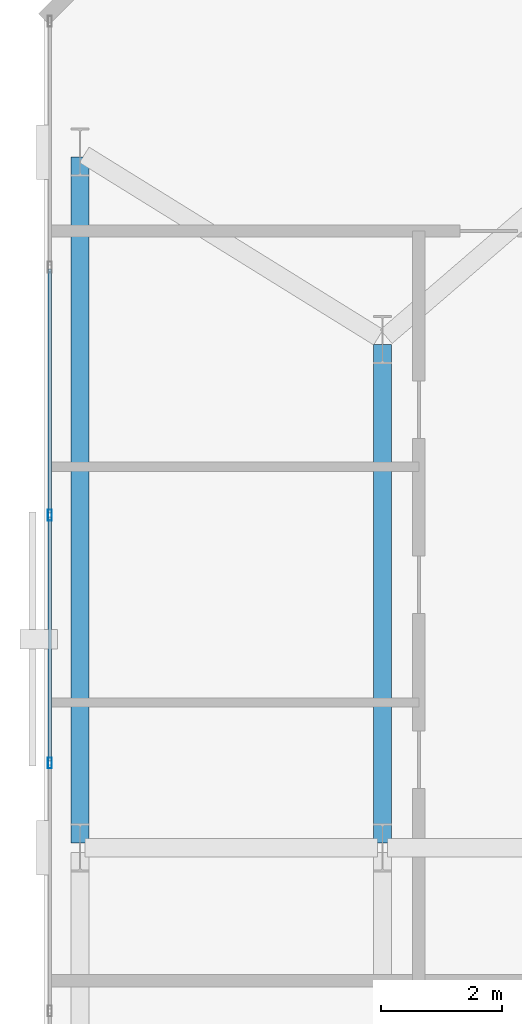
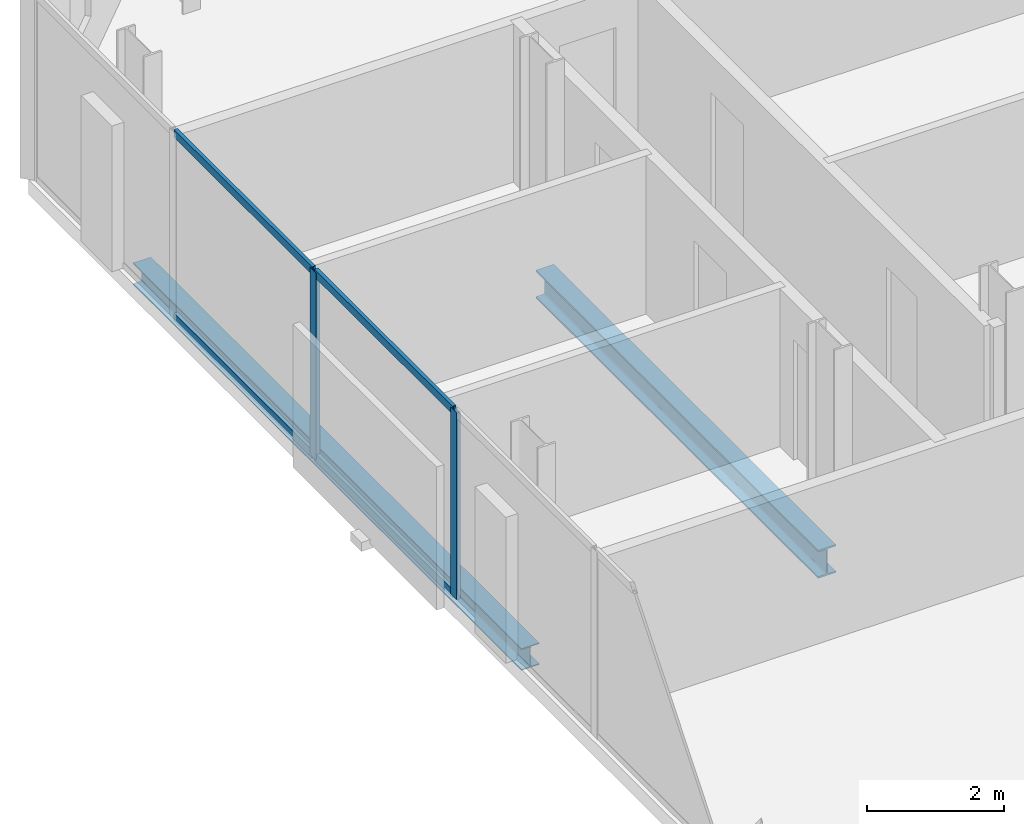
# One storey, part 18 of 33: 6 members, 2 beams, 1 element without a shape of its own.
"""IFC4 building model written with IfcOpenShell, lengths in metres."""

from ifc_helpers import new_model, si_unit, direction, frame, origin, origin_2d, place, context, subcontext, project, spatial, hollow_rectangle, i_section, extrude, material, layer, layer_set, material_profile, profile_set, type_object, element, aggregate, save


model = new_model("IFC4")

# Units and contexts
model_context = context("Model", 3, precision=1e-05, world=origin(), true_north=direction((0.0, 1.0)))
body_context = subcontext(model_context, "Body", "Model", "MODEL_VIEW")
ifc_project = project(units=[si_unit("LENGTHUNIT", "METRE"), si_unit("AREAUNIT", "SQUARE_METRE"), si_unit("VOLUMEUNIT", "CUBIC_METRE"), si_unit("PLANEANGLEUNIT", "RADIAN"), si_unit("MASSUNIT", "GRAM", prefix="KILO")], contexts=[model_context])

# Site, building, storey
site_placement = place(None, origin())
site = spatial("IfcSite", under=ifc_project, at=site_placement, CompositionType="ELEMENT")
building_placement = place(site_placement, origin())
building = spatial("IfcBuilding", under=site, at=building_placement, Name="Catumbela Crestline Tower", CompositionType="ELEMENT")
storey_placement = place(building_placement, frame((0.0, 0.0, 43.8)))
storey = spatial("IfcBuildingStorey", under=building, at=storey_placement, Name="L10", CompositionType="ELEMENT", Elevation=43.8)

# Beam
ifc_material_1 = material(Name="Structural steel S355J2", Category="steel")
ifc_material_profile_1 = material_profile(ifc_material_1, i_section(OverallWidth=0.3, OverallDepth=0.5, WebThickness=0.0145, FlangeThickness=0.028, FilletRadius=0.027, at=origin_2d()), Name="HEB 500")
ifc_profile_set_1 = profile_set([ifc_material_profile_1], Name="Structural steel S355J2")
beam_type_1 = type_object("IfcBeamType", Name="BG-HEB500", PredefinedType="BEAM", material=ifc_profile_set_1)
beam_1_placement = place(storey_placement, frame((5.6, 30.88, -0.51), z_axis=(0.0, 1.0, 0.0), x_axis=(-1.0, 0.0, 0.0)))
element("IfcBeam", 1, at=beam_1_placement, inside=storey, type_object=beam_type_1, Name="L10 Beam BM-L10-SN28", PredefinedType="BEAM", context=body_context, shape_type="SweptSolid", body=[
    extrude(i_section(OverallWidth=0.3, OverallDepth=0.5, WebThickness=0.0145, FlangeThickness=0.028, FilletRadius=0.027, at=origin_2d()), origin(), (0.0, 0.0, 1.0), 8.24),
])

# Curtain wall, members
ifc_material_2 = material(Name="Aluminium alloy AW-6060-T66", Category="aluminium")
ifc_layer = layer(ifc_material_2, 0.18, Name="Aluminium alloy AW-6060-T66")
ifc_layer_set = layer_set([ifc_layer], Name="Aluminium alloy AW-6060-T66")
curtain_wall_type = type_object("IfcCurtainWallType", Name="CWU-Z1", PredefinedType="USERDEFINED", material=ifc_layer_set)
curtain_wall_placement = place(storey_placement, origin())
curtain_wall = element("IfcCurtainWall", 2, at=curtain_wall_placement, inside=storey, type_object=curtain_wall_type, Name="L10 Unitised Curtain Wall CW-L10-E9S1", ObjectType="UNITISED", PredefinedType="USERDEFINED")
ifc_material_profile_2 = material_profile(ifc_material_2, hollow_rectangle(XDim=0.065, YDim=0.18, WallThickness=0.004, at=origin_2d()), Name="ALU 180x65x4")
ifc_profile_set_2 = profile_set([ifc_material_profile_2], Name="Aluminium alloy AW-6060-T66")
member_type_1 = type_object("IfcMemberType", Name="MUL-180X65", PredefinedType="MULLION", material=ifc_profile_set_2)
member_1_placement = place(storey_placement, frame((0.1, 36.3, 0.0), z_axis=(0.0, 0.0, 1.0), x_axis=(1.0, 0.0, 0.0)))
member_1 = element("IfcMember", 3, at=member_1_placement, type_object=member_type_1, Name="CWU-Z1 mullion 3", PredefinedType="MULLION", context=body_context, shape_type="SweptSolid", body=[
    extrude(hollow_rectangle(XDim=0.065, YDim=0.18, WallThickness=0.004, at=origin_2d()), origin(), (0.0, 0.0, 1.0), 3.33),
])
member_2_placement = place(storey_placement, frame((0.1, 32.2, 0.0), z_axis=(0.0, 0.0, 1.0), x_axis=(1.0, 0.0, 0.0)))
member_2 = element("IfcMember", 4, at=member_2_placement, type_object=member_type_1, Name="CWU-Z1 mullion 4", PredefinedType="MULLION", context=body_context, shape_type="SweptSolid", body=[
    extrude(hollow_rectangle(XDim=0.065, YDim=0.18, WallThickness=0.004, at=origin_2d()), origin(), (0.0, 0.0, 1.0), 3.33),
])

# Beam
ifc_material_profile_3 = material_profile(ifc_material_1, i_section(OverallWidth=0.3, OverallDepth=0.39, WebThickness=0.011, FlangeThickness=0.019, FilletRadius=0.027, at=origin_2d()), Name="HEA 400")
ifc_profile_set_3 = profile_set([ifc_material_profile_3], Name="Structural steel S355J2")
beam_type_2 = type_object("IfcBeamType", Name="BS-HEA400", PredefinedType="SPANDREL", material=ifc_profile_set_3)
beam_2_placement = place(storey_placement, frame((0.6, 30.88, -0.455), z_axis=(0.0, 1.0, 0.0), x_axis=(-1.0, 0.0, 0.0)))
element("IfcBeam", 5, at=beam_2_placement, inside=storey, type_object=beam_type_2, Name="L10 Spandrel SP-L10-SN26", PredefinedType="SPANDREL", context=body_context, shape_type="SweptSolid", body=[
    extrude(i_section(OverallWidth=0.3, OverallDepth=0.39, WebThickness=0.011, FlangeThickness=0.019, FilletRadius=0.027, at=origin_2d()), origin(), (0.0, 0.0, 1.0), 11.34),
])

# Member
ifc_material_profile_4 = material_profile(ifc_material_2, hollow_rectangle(XDim=0.06, YDim=0.14, WallThickness=0.004, at=origin_2d()), Name="ALU 140x60x4")
ifc_profile_set_4 = profile_set([ifc_material_profile_4], Name="Aluminium alloy AW-6060-T66")
member_type_2 = type_object("IfcMemberType", Name="TRN-140X60", PredefinedType="USERDEFINED", material=ifc_profile_set_4)
member_3_placement = place(storey_placement, frame((0.1, 40.3675, 0.03), z_axis=(0.0, -1.0, 0.0), x_axis=(1.0, 0.0, 0.0)))
member_3 = element("IfcMember", 6, at=member_3_placement, type_object=member_type_2, Name="CWU-Z1 transom 2.1", ObjectType="TRANSOM", PredefinedType="USERDEFINED", context=body_context, shape_type="SweptSolid", body=[
    extrude(hollow_rectangle(XDim=0.06, YDim=0.14, WallThickness=0.004, at=origin_2d()), origin(), (0.0, 0.0, 1.0), 4.035),
])

member_4_placement = place(storey_placement, frame((0.1, 40.3675, 3.3), z_axis=(0.0, -1.0, 0.0), x_axis=(1.0, 0.0, 0.0)))
member_4 = element("IfcMember", 7, at=member_4_placement, type_object=member_type_2, Name="CWU-Z1 transom 2.2", ObjectType="TRANSOM", PredefinedType="USERDEFINED", context=body_context, shape_type="SweptSolid", body=[
    extrude(hollow_rectangle(XDim=0.06, YDim=0.14, WallThickness=0.004, at=origin_2d()), origin(), (0.0, 0.0, 1.0), 4.035),
])

member_5_placement = place(storey_placement, frame((0.1, 36.2675, 0.03), z_axis=(0.0, -1.0, 0.0), x_axis=(1.0, 0.0, 0.0)))
member_5 = element("IfcMember", 8, at=member_5_placement, type_object=member_type_2, Name="CWU-Z1 transom 3.1", ObjectType="TRANSOM", PredefinedType="USERDEFINED", context=body_context, shape_type="SweptSolid", body=[
    extrude(hollow_rectangle(XDim=0.06, YDim=0.14, WallThickness=0.004, at=origin_2d()), origin(), (0.0, 0.0, 1.0), 4.035),
])

member_6_placement = place(storey_placement, frame((0.1, 36.2675, 3.3), z_axis=(0.0, -1.0, 0.0), x_axis=(1.0, 0.0, 0.0)))
member_6 = element("IfcMember", 9, at=member_6_placement, type_object=member_type_2, Name="CWU-Z1 transom 3.2", ObjectType="TRANSOM", PredefinedType="USERDEFINED", context=body_context, shape_type="SweptSolid", body=[
    extrude(hollow_rectangle(XDim=0.06, YDim=0.14, WallThickness=0.004, at=origin_2d()), origin(), (0.0, 0.0, 1.0), 4.035),
])

aggregate(curtain_wall, [member_1, member_2, member_3, member_4, member_5, member_6])

save(model, "model.ifc")
